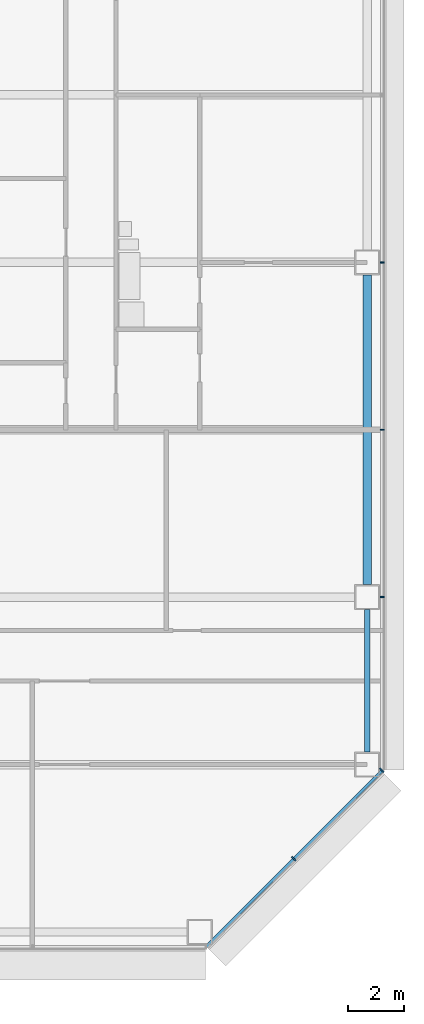
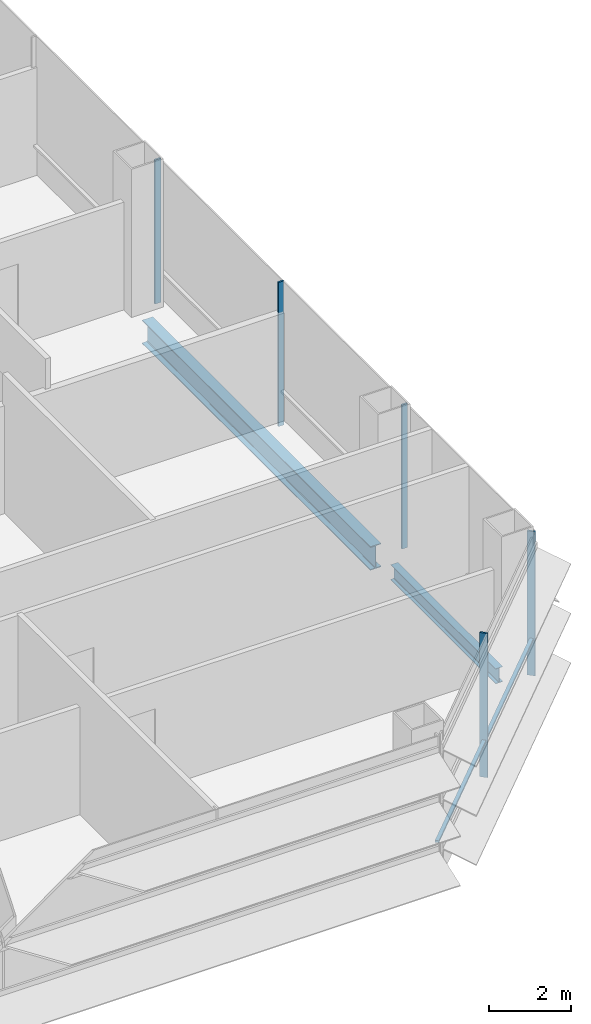
# One storey, part 16 of 27: 6 members, 2 beams, 2 elements without a shape of their own.
"""IFC4 building model written with IfcOpenShell, lengths in metres."""

from ifc_helpers import new_model, si_unit, direction, frame, origin, origin_2d, place, context, subcontext, project, spatial, rectangle, i_section, extrude, material, material_profile, profile_set, type_object, element, aggregate, save


model = new_model("IFC4")

# Units and contexts
model_context = context("Model", 3, precision=1e-05, world=origin(), true_north=direction((0.0, 1.0)))
body_context = subcontext(model_context, "Body", "Model", "MODEL_VIEW")
ifc_project = project(units=[si_unit("LENGTHUNIT", "METRE"), si_unit("AREAUNIT", "SQUARE_METRE"), si_unit("VOLUMEUNIT", "CUBIC_METRE"), si_unit("PLANEANGLEUNIT", "RADIAN"), si_unit("MASSUNIT", "GRAM", prefix="KILO")], contexts=[model_context])

# Site, building, storey
site_placement = place(None, origin())
site = spatial("IfcSite", under=ifc_project, at=site_placement, CompositionType="ELEMENT")
building_placement = place(site_placement, origin())
building = spatial("IfcBuilding", under=site, at=building_placement, Name="Sorahane Residences", CompositionType="ELEMENT")
storey_placement = place(building_placement, frame((0.0, 0.0, 85.800048828125)))
storey = spatial("IfcBuildingStorey", under=building, at=storey_placement, Name="L18", CompositionType="ELEMENT", Elevation=85.800048828125)

# Curtain wall, members
ifc_material_1 = material(Name="Dark low-e glass and black anodised aluminium", Category="aluminium")
curtain_wall_type_1 = type_object("IfcCurtainWallType", Name="Curtain wall CW-1 Typical unitised wall", PredefinedType="NOTDEFINED", material=ifc_material_1)
curtain_wall_1_placement = place(storey_placement, origin())
curtain_wall_1 = element("IfcCurtainWall", 1, at=curtain_wall_1_placement, inside=storey, type_object=curtain_wall_type_1, Name="CW-1 curtain wall L18 E1", PredefinedType="NOTDEFINED")
ifc_material_2 = material(Name="Black anodised aluminium", Category="aluminium")
ifc_material_profile_1 = material_profile(ifc_material_2, rectangle(XDim=0.159912109375, YDim=0.050048828125, at=origin_2d()), Name="Curtain wall mullion CW-1 black anodised aluminium 50x160")
ifc_profile_set_1 = profile_set([ifc_material_profile_1], Name="Black anodised aluminium")
member_type_1 = type_object("IfcMemberType", Name="Curtain wall mullion CW-1 black anodised aluminium 50x160", PredefinedType="MULLION", material=ifc_profile_set_1)
member_1_placement = place(storey_placement, frame((66.5400390625, 12.0, -0.179931640625), z_axis=(0.0, 0.0, 1.0), x_axis=(1.0, 0.0, 0.0)))
member_1 = element("IfcMember", 2, at=member_1_placement, type_object=member_type_1, Name="CW-1 mullion L18 E1.2", PredefinedType="MULLION", context=body_context, shape_type="SweptSolid", body=[
    extrude(rectangle(XDim=0.159912109375, YDim=0.050048828125, at=origin_2d()), origin(), (0.0, 0.0, 1.0), 4.27978515625),
])
member_2_placement = place(storey_placement, frame((66.5400390625, 18.0, -0.179931640625), z_axis=(0.0, 0.0, 1.0), x_axis=(1.0, 0.0, 0.0)))
member_2 = element("IfcMember", 3, at=member_2_placement, type_object=member_type_1, Name="CW-1 mullion L18 E1.3", PredefinedType="MULLION", context=body_context, shape_type="SweptSolid", body=[
    extrude(rectangle(XDim=0.159912109375, YDim=0.050048828125, at=origin_2d()), origin(), (0.0, 0.0, 1.0), 4.27978515625),
])
member_3_placement = place(storey_placement, frame((66.5400390625, 24.0, -0.179931640625), z_axis=(0.0, 0.0, 1.0), x_axis=(1.0, 0.0, 0.0)))
member_3 = element("IfcMember", 4, at=member_3_placement, type_object=member_type_1, Name="CW-1 mullion L18 E1.4", PredefinedType="MULLION", context=body_context, shape_type="SweptSolid", body=[
    extrude(rectangle(XDim=0.159912109375, YDim=0.050048828125, at=origin_2d()), origin(), (0.0, 0.0, 1.0), 4.27978515625),
])
aggregate(curtain_wall_1, [member_1, member_2, member_3])

ifc_material_3 = material(Name="Dark low-e glass and black anodised aluminium", Category="aluminium")
curtain_wall_type_2 = type_object("IfcCurtainWallType", Name="Curtain wall CW-2 Chamfer unitised wall", PredefinedType="NOTDEFINED", material=ifc_material_3)
curtain_wall_2_placement = place(storey_placement, origin())
curtain_wall_2 = element("IfcCurtainWall", 5, at=curtain_wall_2_placement, inside=storey, type_object=curtain_wall_type_2, Name="CW-2 curtain wall L18 SE1", PredefinedType="NOTDEFINED")
ifc_material_4 = material(Name="Black anodised aluminium", Category="aluminium")
ifc_material_profile_2 = material_profile(ifc_material_4, rectangle(XDim=0.199951171875, YDim=0.050048828125, at=origin_2d()), Name="Curtain wall mullion CW-2 black anodised aluminium 50x200")
ifc_profile_set_2 = profile_set([ifc_material_profile_2], Name="Black anodised aluminium")
member_type_2 = type_object("IfcMemberType", Name="Curtain wall mullion CW-2 black anodised aluminium 50x200", PredefinedType="MULLION", material=ifc_profile_set_2)
member_4_placement = place(storey_placement, frame((63.36767578125, 2.63232421875, -0.179931640625), z_axis=(0.0, 0.0, 1.0), x_axis=(0.707106781187, -0.707106781187, 0.0)))
member_4 = element("IfcMember", 6, at=member_4_placement, type_object=member_type_2, Name="CW-2 mullion L18 SE1.2", PredefinedType="MULLION", context=body_context, shape_type="SweptSolid", body=[
    extrude(rectangle(XDim=0.199951171875, YDim=0.050048828125, at=origin_2d()), origin(), (0.0, 0.0, 1.0), 4.27978515625),
])
member_5_placement = place(storey_placement, frame((66.525634765625, 5.790283203125, -0.179931640625), z_axis=(0.0, 0.0, 1.0), x_axis=(0.707106781187, -0.707106781187, 0.0)))
member_5 = element("IfcMember", 7, at=member_5_placement, type_object=member_type_2, Name="CW-2 mullion L18 SE1.3", PredefinedType="MULLION", context=body_context, shape_type="SweptSolid", body=[
    extrude(rectangle(XDim=0.199951171875, YDim=0.050048828125, at=origin_2d()), origin(), (0.0, 0.0, 1.0), 4.27978515625),
])
ifc_material_5 = material(Name="Black anodised aluminium", Category="aluminium")
ifc_material_profile_3 = material_profile(ifc_material_5, rectangle(XDim=0.10009765625, YDim=0.06005859375, at=origin_2d()), Name="Curtain wall transom CW-2 black anodised aluminium 60x100")
ifc_profile_set_3 = profile_set([ifc_material_profile_3], Name="Black anodised aluminium")
member_type_3 = type_object("IfcMemberType", Name="Curtain wall transom CW-2 black anodised aluminium 60x100", PredefinedType="USERDEFINED", material=ifc_profile_set_3)
member_6_placement = place(storey_placement, frame((60.234375, -0.51513671875, 0.89990234375), z_axis=(0.707106781187, 0.707106781187, 0.0), x_axis=(-0.707106781187, 0.707106781187, 0.0)))
member_6 = element("IfcMember", 8, at=member_6_placement, type_object=member_type_3, Name="CW-2 transom L18 SE1", ObjectType="TRANSOM", PredefinedType="USERDEFINED", context=body_context, shape_type="SweptSolid", body=[
    extrude(rectangle(XDim=0.10009765625, YDim=0.06005859375, at=origin_2d()), origin(), (0.0, 0.0, 1.0), 8.88232421875),
])
aggregate(curtain_wall_2, [member_4, member_5, member_6])

# Beams
ifc_material_6 = material(Name="Steel Q355B", Category="steel")
ifc_material_profile_4 = material_profile(ifc_material_6, i_section(OverallWidth=0.199951171875, OverallDepth=0.449951171875, WebThickness=0.009033203125, FlangeThickness=0.013916015625, FilletRadius=0.02001953125, at=origin_2d()), Name="HN 450x200x9x14")
ifc_profile_set_4 = profile_set([ifc_material_profile_4], Name="Steel Q355B")
beam_type_1 = type_object("IfcBeamType", Name="Steel floor beam HN 450x200x9x14 Q355B", PredefinedType="BEAM", material=ifc_profile_set_4)
beam_1_placement = place(storey_placement, frame((66.0, 6.449951171875, -0.405029296875), z_axis=(0.0, 1.0, 0.0), x_axis=(-1.0, 0.0, 0.0)))
element("IfcBeam", 9, at=beam_1_placement, inside=storey, type_object=beam_type_1, Name="Beam L18 057", PredefinedType="BEAM", context=body_context, shape_type="SweptSolid", body=[
    extrude(i_section(OverallWidth=0.199951171875, OverallDepth=0.449951171875, WebThickness=0.009033203125, FlangeThickness=0.013916015625, FilletRadius=0.02001953125, at=origin_2d()), origin(), (0.0, 0.0, 1.0), 5.10009765625),
])
ifc_material_7 = material(Name="Steel Q355B", Category="steel")
ifc_material_profile_5 = material_profile(ifc_material_7, i_section(OverallWidth=0.300048828125, OverallDepth=0.699951171875, WebThickness=0.012939453125, FlangeThickness=0.02392578125, FilletRadius=0.028076171875, at=origin_2d()), Name="HN 700x300x13x24")
ifc_profile_set_5 = profile_set([ifc_material_profile_5], Name="Steel Q355B")
beam_type_2 = type_object("IfcBeamType", Name="Steel floor beam HN 700x300x13x24 Q355B", PredefinedType="BEAM", material=ifc_profile_set_5)
beam_2_placement = place(storey_placement, frame((66.0, 12.449951171875, -0.530029296875), z_axis=(0.0, 1.0, 0.0), x_axis=(-1.0, 0.0, 0.0)))
element("IfcBeam", 10, at=beam_2_placement, inside=storey, type_object=beam_type_2, Name="Beam L18 058", PredefinedType="BEAM", context=body_context, shape_type="SweptSolid", body=[
    extrude(i_section(OverallWidth=0.300048828125, OverallDepth=0.699951171875, WebThickness=0.012939453125, FlangeThickness=0.02392578125, FilletRadius=0.028076171875, at=origin_2d()), origin(), (0.0, 0.0, 1.0), 11.10009765625),
])

save(model, "model.ifc")
